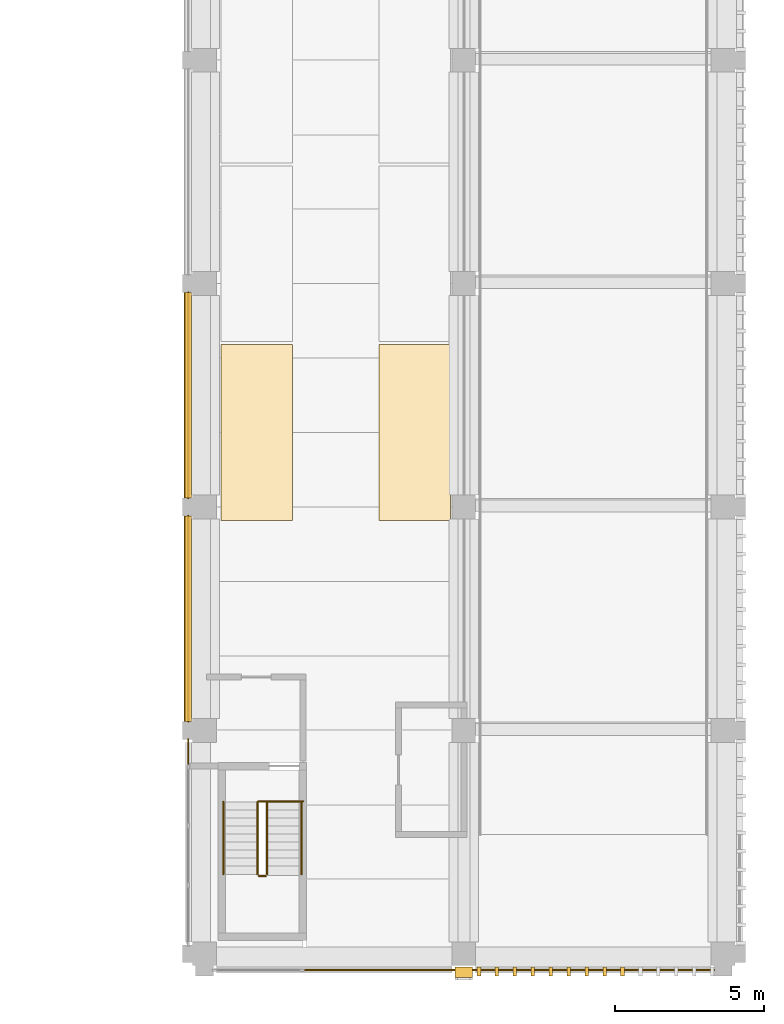
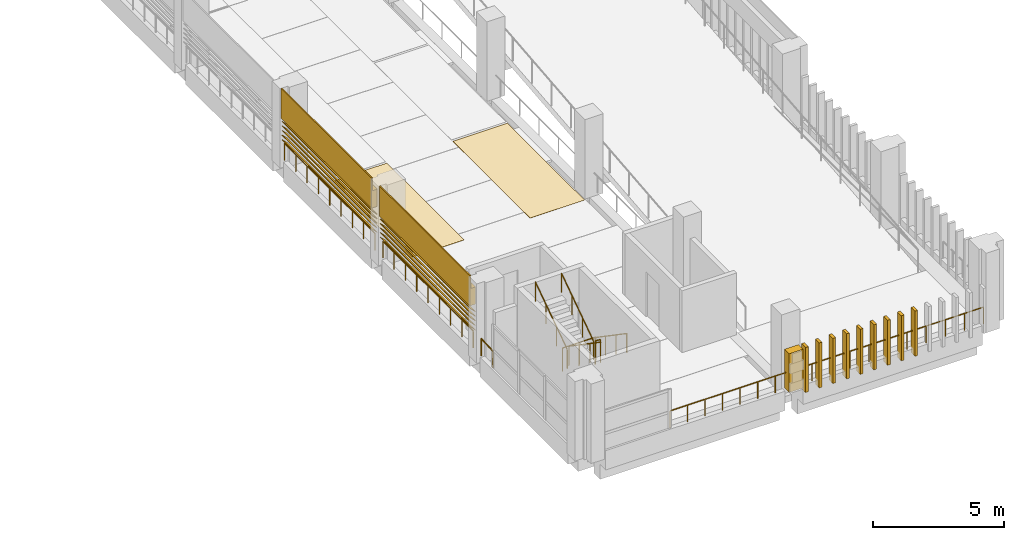
# One storey, part 54 of 62: 14 coverings, 11 railings, 10 shading devices.
"""IFC4 building model written with IfcOpenShell, lengths in metres."""

import ifcopenshell
import ifcopenshell.guid

model = None  # the IFC model being written
_history = None  # IfcOwnerHistory: only IFC2X3 demands one
_inside = {}  # id of a spatial element -> (the spatial element, [elements in it])
_under = {}  # id of a project, library or spatial element -> (it, [spatial elements below it])
_declared = {}  # id of a project -> (the project, [libraries it declares])
_typed = {}  # id of a type object -> (the type object, [elements of that type])
_made_of = {}  # id of a material, layer set ... -> (it, [elements and type objects made of it])


def new_model(schema):
    """Start an empty IFC model of exactly this schema.

    Asked for "IFC4X3", IfcOpenShell would pick the latest addendum, in which some entities
    have other attributes; the version numbers below select the first issue.
    IFC2X3 requires an IfcOwnerHistory on every rooted entity: one is made here for all.
    """
    global model, _history
    if schema == "IFC4X3":
        model = ifcopenshell.file(schema_version=(4, 3, 0, 0))
    else:
        model = ifcopenshell.file(schema=schema)
    _inside.clear()
    _under.clear()
    _declared.clear()
    _typed.clear()
    _made_of.clear()
    _history = None
    if model.schema == "IFC2X3":
        org = make("IfcOrganization", Name="unknown")
        user = make(
            "IfcPersonAndOrganization",
            ThePerson=make("IfcPerson", FamilyName="unknown"),
            TheOrganization=org,
        )
        app = make(
            "IfcApplication",
            ApplicationDeveloper=org,
            Version="unknown",
            ApplicationFullName="unknown",
            ApplicationIdentifier="unknown",
        )
        _history = make(
            "IfcOwnerHistory",
            OwningUser=user,
            OwningApplication=app,
            ChangeAction="ADDED",
            CreationDate=0,
        )
    return model


def make(cls, **values):
    """One entity of the class cls with the attributes given. An attribute that is None is left unset."""
    return model.create_entity(
        cls, **{name: value for name, value in values.items() if value is not None}
    )


def rooted(cls, **values):
    """An entity with a GlobalId (a new one), such as an element, a storey or a relation."""
    return make(cls, GlobalId=ifcopenshell.guid.new(), OwnerHistory=_history, **values)


def si_unit(unit_type, name, prefix=None):
    """IfcSIUnit, for example si_unit("LENGTHUNIT", "METRE", prefix="MILLI")."""
    return make("IfcSIUnit", UnitType=unit_type, Prefix=prefix, Name=name)


def assignment(units):
    """IfcUnitAssignment: the units of a project."""
    return None if units is None else make("IfcUnitAssignment", Units=units)


def point(xyz):
    """IfcCartesianPoint."""
    return None if xyz is None else make("IfcCartesianPoint", Coordinates=xyz)


def direction(xyz):
    """IfcDirection."""
    return None if xyz is None else make("IfcDirection", DirectionRatios=xyz)


def frame(location, z_axis=None, x_axis=None):
    """IfcAxis2Placement3D, a coordinate frame: its origin and axes. An axis left out is left unset."""
    return make(
        "IfcAxis2Placement3D",
        Location=point(location),
        Axis=direction(z_axis),
        RefDirection=direction(x_axis),
    )


def frame_2d(location, x_axis=None):
    """IfcAxis2Placement2D, a coordinate frame in the plane: its origin and x axis."""
    return make(
        "IfcAxis2Placement2D", Location=point(location), RefDirection=direction(x_axis)
    )


def origin():
    """The frame at (0, 0, 0) with its axes left unset."""
    return frame((0.0, 0.0, 0.0))


def origin_2d():
    """The frame at (0, 0) in the plane with its x axis left unset."""
    return frame_2d((0.0, 0.0))


def place(relative_to, where):
    """IfcLocalPlacement: puts the frame where relative to a parent placement (None: the world)."""
    return make(
        "IfcLocalPlacement", PlacementRelTo=relative_to, RelativePlacement=where
    )


def context(
    kind, dimensions, precision=None, world=None, true_north=None, identifier=None
):
    """IfcGeometricRepresentationContext, for example the 3D "Model" context."""
    return make(
        "IfcGeometricRepresentationContext",
        ContextIdentifier=identifier,
        ContextType=kind,
        CoordinateSpaceDimension=dimensions,
        Precision=precision,
        WorldCoordinateSystem=world,
        TrueNorth=true_north,
    )


def subcontext(parent, identifier, kind, view, scale=None):
    """IfcGeometricRepresentationSubContext, for example "Body" below "Model"."""
    return make(
        "IfcGeometricRepresentationSubContext",
        ContextIdentifier=identifier,
        ContextType=kind,
        ParentContext=parent,
        TargetScale=scale,
        TargetView=view,
    )


def project(units=None, contexts=None):
    """IfcProject with its units and contexts."""
    return rooted(
        "IfcProject",
        Name="project",
        RepresentationContexts=contexts,
        UnitsInContext=assignment(units),
    )


def spatial(cls, under=None, at=None, **own):
    """A site, building, storey or space (cls), placed at a placement, below another one or the project."""
    s = rooted(cls, ObjectPlacement=at, **own)
    if under is not None:
        _under.setdefault(under.id(), (under, []))[1].append(s)
    return s


def polyline(points):
    """IfcPolyline through the points."""
    return make("IfcPolyline", Points=[point(p) for p in points])


def profile(cls, at=None, kind="AREA", **sizes):
    """A parametric profile (cls). Its sizes go by their IFC names, for example OverallWidth=200.0."""
    return make(cls, ProfileType=kind, Position=at, **sizes)


def circle(**sizes):
    """IfcCircleProfileDef."""
    return profile("IfcCircleProfileDef", **sizes)


def outline(outer, holes=None, kind="AREA"):
    """IfcArbitraryClosedProfileDef: a profile drawn as a closed curve; with holes, ...WithVoids."""
    if holes is None:
        return make("IfcArbitraryClosedProfileDef", ProfileType=kind, OuterCurve=outer)
    return make(
        "IfcArbitraryProfileDefWithVoids",
        ProfileType=kind,
        OuterCurve=outer,
        InnerCurves=holes,
    )


def extrude(swept, where, along, depth):
    """IfcExtrudedAreaSolid: the profile swept, set in the frame where, extruded along a direction by depth."""
    return make(
        "IfcExtrudedAreaSolid",
        SweptArea=swept,
        Position=where,
        ExtrudedDirection=direction(along),
        Depth=depth,
    )


def shape(context_of_items, identifier, shape_type, items):
    """IfcShapeRepresentation: the items that make up one representation, for example the "Body"."""
    return make(
        "IfcShapeRepresentation",
        ContextOfItems=context_of_items,
        RepresentationIdentifier=identifier,
        RepresentationType=shape_type,
        Items=items,
    )


def material(Name=None, Category=None):
    """IfcMaterial."""
    return make("IfcMaterial", Name=Name, Category=Category)


def layer(
    of_material, thickness, ventilated=None, Name=None, Category=None, Priority=None
):
    """IfcMaterialLayer: one layer of a wall or slab, of a material (None: an air gap)."""
    return make(
        "IfcMaterialLayer",
        Material=of_material,
        LayerThickness=thickness,
        IsVentilated=ventilated,
        Name=Name,
        Category=Category,
        Priority=Priority,
    )


def layer_set(layers, Name=None):
    """IfcMaterialLayerSet."""
    return make("IfcMaterialLayerSet", MaterialLayers=layers, LayerSetName=Name)


def made_of(thing, what):
    """Note that an element or type object is made of a material, layer set ...; save() writes the relation."""
    if what is not None:
        _made_of.setdefault(what.id(), (what, []))[1].append(thing)
    return thing


def type_object(cls, material=None, **own):
    """A type object (cls), such as IfcWallType, which elements share."""
    return made_of(rooted(cls, **own), material)


def element(
    cls,
    number,
    at=None,
    inside=None,
    cuts=None,
    type_object=None,
    material=None,
    context=None,
    identifier="Body",
    shape_type=None,
    held_by="IfcProductDefinitionShape",
    body=None,
    shapes=None,
    **own,
):
    """One element of the class cls, such as IfcWall. Its Tag is "e" and its number.

    at: its placement. inside: the storey or other place that contains it. cuts: it is an
    opening in that element (IfcRelVoidsElement). A single representation is given by context,
    identifier, shape_type and body (its items); several are given by shapes. held_by: the class
    of the entity that holds the representations. save() writes the other relations.
    """
    e = rooted(cls, Tag="e%d" % number, ObjectPlacement=at, **own)
    if body is not None:
        shapes = [shape(context, identifier, shape_type, body)]
    if shapes is not None:
        e.Representation = make(held_by, Representations=shapes)
    if inside is not None:
        _inside.setdefault(inside.id(), (inside, []))[1].append(e)
    if cuts is not None:
        rooted(
            "IfcRelVoidsElement", RelatingBuildingElement=cuts, RelatedOpeningElement=e
        )
    if type_object is not None:
        _typed.setdefault(type_object.id(), (type_object, []))[1].append(e)
    return made_of(e, material)


def aggregate(whole, parts):
    """IfcRelAggregates: a whole, such as a stair, and the parts it consists of."""
    return rooted("IfcRelAggregates", RelatingObject=whole, RelatedObjects=parts)


def save(model, path):
    """Write the relations noted so far, then the file.

    IfcRelAggregates (storeys below a building ...), IfcRelContainedInSpatialStructure (elements
    in a storey), IfcRelDefinesByType, IfcRelAssociatesMaterial and IfcRelDeclares: one each for
    every whole, place, type object, material and project.
    """
    for whole, parts in _under.values():
        aggregate(whole, parts)
    for where, things in _inside.values():
        rooted(
            "IfcRelContainedInSpatialStructure",
            RelatedElements=things,
            RelatingStructure=where,
        )
    for kind, things in _typed.values():
        rooted("IfcRelDefinesByType", RelatedObjects=things, RelatingType=kind)
    for what, things in _made_of.values():
        rooted("IfcRelAssociatesMaterial", RelatedObjects=things, RelatingMaterial=what)
    for by, libraries in _declared.values():
        rooted("IfcRelDeclares", RelatingContext=by, RelatedDefinitions=libraries)
    model.write(path)


model = new_model("IFC4")

# Units and contexts
model_context = context("Model", 3, precision=1e-05, world=origin(), true_north=direction((0.0, 1.0)))
body_context = subcontext(model_context, "Body", "Model", "MODEL_VIEW")
ifc_project = project(units=[si_unit("LENGTHUNIT", "METRE"), si_unit("AREAUNIT", "SQUARE_METRE"), si_unit("VOLUMEUNIT", "CUBIC_METRE"), si_unit("PLANEANGLEUNIT", "RADIAN"), si_unit("MASSUNIT", "GRAM", prefix="KILO")], contexts=[model_context])

# Site, building, storey
site_placement = place(None, origin())
site = spatial("IfcSite", under=ifc_project, at=site_placement, CompositionType="ELEMENT")
building_placement = place(site_placement, origin())
building = spatial("IfcBuilding", under=site, at=building_placement, Name="Cour d'Honneur Mobility Palace", CompositionType="ELEMENT")
storey_placement = place(building_placement, frame((0.0, 0.0, 19.300048828125)))
storey = spatial("IfcBuildingStorey", under=building, at=storey_placement, Name="L05", CompositionType="ELEMENT", Elevation=19.300048828125)

# Railings
ifc_material_1 = material(Name="Painted steel", Category="steel")
railing_type_1 = type_object("IfcRailingType", Name="Balustrade", PredefinedType="BALUSTRADE", material=ifc_material_1)
for number, where, name in (
    (1, (144.35009765625, 22.199951171875, 0.300048828125), "Balustrade BAL-286"),
    (2, (144.35009765625, 14.699951171875, 0.300048828125), "Balustrade BAL-287"),
):
    element("IfcRailing", number, at=place(storey_placement, frame(where)), inside=storey, type_object=railing_type_1, Name=name, PredefinedType="BALUSTRADE", context=body_context, shape_type="SweptSolid", body=[
        extrude(circle(Radius=0.02392578125, at=origin_2d()), frame((0.0, 0.0, 0.77587890625), z_axis=(0.0, -1.0, 0.0), x_axis=(1.0, 0.0, 0.0)), (0.0, 0.0, 1.0), 6.89990234375),
        extrude(circle(Radius=0.02099609375, at=origin_2d()), origin(), (0.0, 0.0, 1.0), 0.751953125),
        extrude(circle(Radius=0.02099609375, at=origin_2d()), frame((0.0, -0.862548828125, 0.0)), (0.0, 0.0, 1.0), 0.751953125),
        extrude(circle(Radius=0.02099609375, at=origin_2d()), frame((0.0, -1.72509765625, 0.0)), (0.0, 0.0, 1.0), 0.751953125),
        extrude(circle(Radius=0.02099609375, at=origin_2d()), frame((0.0, -2.58740234375, 0.0)), (0.0, 0.0, 1.0), 0.751953125),
        extrude(circle(Radius=0.02099609375, at=origin_2d()), frame((0.0, -3.449951171875, 0.0)), (0.0, 0.0, 1.0), 0.751953125),
        extrude(circle(Radius=0.02099609375, at=origin_2d()), frame((0.0, -4.3125, 0.0)), (0.0, 0.0, 1.0), 0.751953125),
        extrude(circle(Radius=0.02099609375, at=origin_2d()), frame((0.0, -5.1748046875, 0.0)), (0.0, 0.0, 1.0), 0.751953125),
        extrude(circle(Radius=0.02099609375, at=origin_2d()), frame((0.0, -6.037353515625, 0.0)), (0.0, 0.0, 1.0), 0.751953125),
        extrude(circle(Radius=0.02099609375, at=origin_2d()), frame((0.0, -6.89990234375, 0.0)), (0.0, 0.0, 1.0), 0.751953125),
    ])
railing_1_placement = place(storey_placement, frame((144.35009765625, 7.199951171875, 0.300048828125)))
element("IfcRailing", 3, at=railing_1_placement, inside=storey, type_object=railing_type_1, Name="Balustrade BAL-288", PredefinedType="BALUSTRADE", context=body_context, shape_type="SweptSolid", body=[
    extrude(circle(Radius=0.02392578125, at=origin_2d()), frame((0.0, 0.0, 0.77587890625), z_axis=(0.0, -1.0, 0.0), x_axis=(1.0, 0.0, 0.0)), (0.0, 0.0, 1.0), 0.89990234375),
    extrude(circle(Radius=0.02099609375, at=origin_2d()), origin(), (0.0, 0.0, 1.0), 0.751953125),
    extrude(circle(Radius=0.02099609375, at=origin_2d()), frame((0.0, -0.89990234375, 0.0)), (0.0, 0.0, 1.0), 0.751953125),
])
railing_2_placement = place(storey_placement, frame((148.199951171875, -0.550048828125, 0.300048828125)))
element("IfcRailing", 4, at=railing_2_placement, inside=storey, type_object=railing_type_1, Name="Balustrade BAL-289", PredefinedType="BALUSTRADE", context=body_context, shape_type="SweptSolid", body=[
    extrude(circle(Radius=0.02392578125, at=origin_2d()), frame((0.0, 0.0, 0.77587890625), z_axis=(1.0, 0.0, 0.0), x_axis=(0.0, 1.0, 0.0)), (0.0, 0.0, 1.0), 5.400146484375),
    extrude(circle(Radius=0.02099609375, at=origin_2d()), origin(), (0.0, 0.0, 1.0), 0.751953125),
    extrude(circle(Radius=0.02099609375, at=origin_2d()), frame((0.771484375, 0.0, 0.0)), (0.0, 0.0, 1.0), 0.751953125),
    extrude(circle(Radius=0.02099609375, at=origin_2d()), frame((1.54296875, 0.0, 0.0)), (0.0, 0.0, 1.0), 0.751953125),
    extrude(circle(Radius=0.02099609375, at=origin_2d()), frame((2.314453125, 0.0, 0.0)), (0.0, 0.0, 1.0), 0.751953125),
    extrude(circle(Radius=0.02099609375, at=origin_2d()), frame((3.085693359375, 0.0, 0.0)), (0.0, 0.0, 1.0), 0.751953125),
    extrude(circle(Radius=0.02099609375, at=origin_2d()), frame((3.857177734375, 0.0, 0.0)), (0.0, 0.0, 1.0), 0.751953125),
    extrude(circle(Radius=0.02099609375, at=origin_2d()), frame((4.628662109375, 0.0, 0.0)), (0.0, 0.0, 1.0), 0.751953125),
    extrude(circle(Radius=0.02099609375, at=origin_2d()), frame((5.400146484375, 0.0, 0.0)), (0.0, 0.0, 1.0), 0.751953125),
])
railing_3_placement = place(storey_placement, frame((153.60009765625, -0.550048828125, 0.300048828125)))
element("IfcRailing", 5, at=railing_3_placement, inside=storey, type_object=railing_type_1, Name="Balustrade BAL-290", PredefinedType="BALUSTRADE", context=body_context, shape_type="SweptSolid", body=[
    extrude(circle(Radius=0.02392578125, at=origin_2d()), frame((0.0, 0.0, 0.77587890625), z_axis=(1.0, 0.0, 0.0), x_axis=(0.0, 1.0, 0.0)), (0.0, 0.0, 1.0), 8.39990234375),
    extrude(circle(Radius=0.02099609375, at=origin_2d()), origin(), (0.0, 0.0, 1.0), 0.751953125),
    extrude(circle(Radius=0.02099609375, at=origin_2d()), frame((0.840087890625, 0.0, 0.0)), (0.0, 0.0, 1.0), 0.751953125),
    extrude(circle(Radius=0.02099609375, at=origin_2d()), frame((1.679931640625, 0.0, 0.0)), (0.0, 0.0, 1.0), 0.751953125),
    extrude(circle(Radius=0.02099609375, at=origin_2d()), frame((2.52001953125, 0.0, 0.0)), (0.0, 0.0, 1.0), 0.751953125),
    extrude(circle(Radius=0.02099609375, at=origin_2d()), frame((3.35986328125, 0.0, 0.0)), (0.0, 0.0, 1.0), 0.751953125),
    extrude(circle(Radius=0.02099609375, at=origin_2d()), frame((4.199951171875, 0.0, 0.0)), (0.0, 0.0, 1.0), 0.751953125),
    extrude(circle(Radius=0.02099609375, at=origin_2d()), frame((5.0400390625, 0.0, 0.0)), (0.0, 0.0, 1.0), 0.751953125),
    extrude(circle(Radius=0.02099609375, at=origin_2d()), frame((5.8798828125, 0.0, 0.0)), (0.0, 0.0, 1.0), 0.751953125),
    extrude(circle(Radius=0.02099609375, at=origin_2d()), frame((6.719970703125, 0.0, 0.0)), (0.0, 0.0, 1.0), 0.751953125),
    extrude(circle(Radius=0.02099609375, at=origin_2d()), frame((7.559814453125, 0.0, 0.0)), (0.0, 0.0, 1.0), 0.751953125),
    extrude(circle(Radius=0.02099609375, at=origin_2d()), frame((8.39990234375, 0.0, 0.0)), (0.0, 0.0, 1.0), 0.751953125),
])
ifc_material_2 = material(Name="Painted steel", Category="steel")
railing_type_2 = type_object("IfcRailingType", Name="Guardrail 1100", PredefinedType="GUARDRAIL", material=ifc_material_2)
railing_4_placement = place(storey_placement, frame((146.72509765625, 5.1201171875, 0.0)))
element("IfcRailing", 6, at=railing_4_placement, inside=storey, type_object=railing_type_2, Name="Guard ST-RE1", PredefinedType="GUARDRAIL", context=body_context, shape_type="SweptSolid", body=[
    extrude(circle(Radius=0.02490234375, at=origin_2d()), frame((0.0, 0.0, 1.0751953125), z_axis=(1.0, 0.0, 0.0), x_axis=(0.0, 1.0, 0.0)), (0.0, 0.0, 1.0), 1.474853515625),
    extrude(circle(Radius=0.02099609375, at=origin_2d()), origin(), (0.0, 0.0, 1.0), 1.050048828125),
    extrude(circle(Radius=0.02099609375, at=origin_2d()), frame((0.7373046875, 0.0, 0.0)), (0.0, 0.0, 1.0), 1.050048828125),
    extrude(circle(Radius=0.02099609375, at=origin_2d()), frame((1.474853515625, 0.0, 0.0)), (0.0, 0.0, 1.0), 1.050048828125),
])
railing_5_placement = place(storey_placement, frame((146.72509765625, 2.610107421875, 1.849853515625)))
element("IfcRailing", 7, at=railing_5_placement, inside=storey, type_object=railing_type_2, Name="Landing guard ST-RE1", PredefinedType="GUARDRAIL", context=body_context, shape_type="SweptSolid", body=[
    extrude(circle(Radius=0.02490234375, at=origin_2d()), frame((0.0, 0.0, 1.0751953125), z_axis=(1.0, 0.0, 0.0), x_axis=(0.0, 1.0, 0.0)), (0.0, 0.0, 1.0), 0.224853515625),
    extrude(circle(Radius=0.02099609375, at=origin_2d()), origin(), (0.0, 0.0, 1.0), 1.050048828125),
    extrude(circle(Radius=0.02099609375, at=origin_2d()), frame((0.224853515625, 0.0, 0.0)), (0.0, 0.0, 1.0), 1.050048828125),
])
ifc_material_3 = material(Name="Stainless steel", Category="steel")
railing_type_3 = type_object("IfcRailingType", Name="Handrail round 50", PredefinedType="HANDRAIL", material=ifc_material_3)
for number, where, name in (
    (8, (148.14990234375, 5.10009765625, 0.18505859375), "Handrail ST-RE1"),
    (9, (147.0, 5.10009765625, 0.18505859375), "Handrail ST-RE1"),
):
    element("IfcRailing", number, at=place(storey_placement, frame(where)), inside=storey, type_object=railing_type_3, Name=name, PredefinedType="HANDRAIL", context=body_context, shape_type="SweptSolid", body=[
        extrude(circle(Radius=0.02490234375, at=origin_2d()), frame((0.0, 0.0, 0.89501953125), z_axis=(0.0, -0.824983895463, 0.565156237006), x_axis=(1.0, 0.0, 0.0)), (0.0, 0.0, 1.0), 2.94580078125),
        extrude(circle(Radius=0.02099609375, at=origin_2d()), origin(), (0.0, 0.0, 1.0), 0.869873046875),
        extrude(circle(Radius=0.02099609375, at=origin_2d()), frame((0.0, -0.81005859375, 0.554931640625)), (0.0, 0.0, 1.0), 0.869873046875),
        extrude(circle(Radius=0.02099609375, at=origin_2d()), frame((0.0, -1.6201171875, 1.10986328125)), (0.0, 0.0, 1.0), 0.869873046875),
        extrude(circle(Radius=0.02099609375, at=origin_2d()), frame((0.0, -2.43017578125, 1.664794921875)), (0.0, 0.0, 1.0), 0.869873046875),
    ])
for number, where, name in (
    (10, (146.675048828125, 2.669921875, 2.034912109375), "Handrail ST-RE1"),
    (11, (145.52490234375, 2.669921875, 2.034912109375), "Handrail ST-RE1"),
):
    element("IfcRailing", number, at=place(storey_placement, frame(where)), inside=storey, type_object=railing_type_3, Name=name, PredefinedType="HANDRAIL", context=body_context, shape_type="SweptSolid", body=[
        extrude(circle(Radius=0.02490234375, at=origin_2d()), frame((0.0, 0.0, 0.89501953125), z_axis=(0.0, 0.824945253146, 0.565212640793), x_axis=(-1.0, 0.0, 0.0)), (0.0, 0.0, 1.0), 2.94580078125),
        extrude(circle(Radius=0.02099609375, at=origin_2d()), origin(), (0.0, 0.0, 1.0), 0.869873046875),
        extrude(circle(Radius=0.02099609375, at=origin_2d()), frame((0.0, 0.81005859375, 0.554931640625)), (0.0, 0.0, 1.0), 0.869873046875),
        extrude(circle(Radius=0.02099609375, at=origin_2d()), frame((0.0, 1.6201171875, 1.110107421875)), (0.0, 0.0, 1.0), 0.869873046875),
        extrude(circle(Radius=0.02099609375, at=origin_2d()), frame((0.0, 2.43017578125, 1.6650390625)), (0.0, 0.0, 1.0), 0.869873046875),
    ])

# Coverings
ifc_material_4 = material(Name="Parking marking paint")
ifc_layer_1 = layer(ifc_material_4, 0.0048828125)
ifc_layer_set_1 = layer_set([ifc_layer_1], Name="Parking marking paint")
covering_type_1 = type_object("IfcCoveringType", Name="Parking bay marking", PredefinedType="FLOORING", material=ifc_layer_set_1)
covering_1_placement = place(storey_placement, origin())
element("IfcCovering", 12, at=covering_1_placement, inside=storey, type_object=covering_type_1, Name="Parking bay marking L05 1", PredefinedType="FLOORING", context=body_context, shape_type="SweptSolid", body=[
    extrude(outline(polyline([(153.14990234375, 14.550048828125), (150.75, 14.550048828125), (150.75, 20.449951171875), (153.14990234375, 20.449951171875), (153.14990234375, 14.550048828125)])), origin(), (0.0, 0.0, 1.0), 0.0048828125),
])
covering_2_placement = place(storey_placement, origin())
element("IfcCovering", 13, at=covering_2_placement, inside=storey, type_object=covering_type_1, Name="Parking bay marking L05 5", PredefinedType="FLOORING", context=body_context, shape_type="SweptSolid", body=[
    extrude(outline(polyline([(147.85009765625, 14.550048828125), (145.449951171875, 14.550048828125), (145.449951171875, 20.449951171875), (147.85009765625, 20.449951171875), (147.85009765625, 14.550048828125)])), origin(), (0.0, 0.0, 1.0), 0.0048828125),
])
ifc_material_5 = material(Name="Cast limestone", Category="masonry")
ifc_layer_2 = layer(ifc_material_5, 0.35009765625)
ifc_layer_set_2 = layer_set([ifc_layer_2], Name="Cast limestone")
covering_type_2 = type_object("IfcCoveringType", Name="Pier pilaster", PredefinedType="CLADDING", material=ifc_layer_set_2)
covering_3_placement = place(storey_placement, frame((0.0, 0.0, 0.300048828125)))
element("IfcCovering", 14, at=covering_3_placement, inside=storey, type_object=covering_type_2, Name="Pier pilaster PN-10", PredefinedType="CLADDING", context=body_context, shape_type="SweptSolid", body=[
    extrude(outline(polyline([(153.300048828125, -0.449951171875), (153.89990234375, -0.449951171875), (153.89990234375, -0.800048828125), (153.300048828125, -0.800048828125), (153.300048828125, -0.449951171875)])), origin(), (0.0, 0.0, 1.0), 1.7998046875),
])
ifc_material_6 = material(Name="Cast limestone", Category="masonry")
ifc_layer_3 = layer(ifc_material_6, 0.1201171875)
ifc_layer_set_3 = layer_set([ifc_layer_3], Name="Cast limestone")
covering_type_3 = type_object("IfcCoveringType", Name="Ramp screen fin", PredefinedType="CLADDING", material=ifc_layer_set_3)
covering_4_placement = place(storey_placement, origin())
element("IfcCovering", 15, at=covering_4_placement, inside=storey, type_object=covering_type_3, Name="Ramp screen fin S7.1 L05 1", PredefinedType="CLADDING", context=body_context, shape_type="SweptSolid", body=[
    extrude(outline(polyline([(154.050048828125, -0.449951171875), (154.169921875, -0.449951171875), (154.169921875, -0.75), (154.050048828125, -0.75), (154.050048828125, -0.449951171875)])), origin(), (0.0, 0.0, 1.0), 2.099853515625),
])
covering_5_placement = place(storey_placement, origin())
element("IfcCovering", 16, at=covering_5_placement, inside=storey, type_object=covering_type_3, Name="Ramp screen fin S7.1 L05 2", PredefinedType="CLADDING", context=body_context, shape_type="SweptSolid", body=[
    extrude(outline(polyline([(154.65234375, -0.449951171875), (154.772216796875, -0.449951171875), (154.772216796875, -0.75), (154.65234375, -0.75), (154.65234375, -0.449951171875)])), origin(), (0.0, 0.0, 1.0), 2.099853515625),
])
covering_6_placement = place(storey_placement, origin())
element("IfcCovering", 17, at=covering_6_placement, inside=storey, type_object=covering_type_3, Name="Ramp screen fin S7.1 L05 3", PredefinedType="CLADDING", context=body_context, shape_type="SweptSolid", body=[
    extrude(outline(polyline([(155.254638671875, -0.449951171875), (155.37451171875, -0.449951171875), (155.37451171875, -0.75), (155.254638671875, -0.75), (155.254638671875, -0.449951171875)])), origin(), (0.0, 0.0, 1.0), 2.099853515625),
])
covering_7_placement = place(storey_placement, origin())
element("IfcCovering", 18, at=covering_7_placement, inside=storey, type_object=covering_type_3, Name="Ramp screen fin S7.1 L05 4", PredefinedType="CLADDING", context=body_context, shape_type="SweptSolid", body=[
    extrude(outline(polyline([(155.85693359375, -0.449951171875), (155.976806640625, -0.449951171875), (155.976806640625, -0.75), (155.85693359375, -0.75), (155.85693359375, -0.449951171875)])), origin(), (0.0, 0.0, 1.0), 2.099853515625),
])
covering_8_placement = place(storey_placement, origin())
element("IfcCovering", 19, at=covering_8_placement, inside=storey, type_object=covering_type_3, Name="Ramp screen fin S7.1 L05 5", PredefinedType="CLADDING", context=body_context, shape_type="SweptSolid", body=[
    extrude(outline(polyline([(156.459228515625, -0.449951171875), (156.579345703125, -0.449951171875), (156.579345703125, -0.75), (156.459228515625, -0.75), (156.459228515625, -0.449951171875)])), origin(), (0.0, 0.0, 1.0), 2.099853515625),
])
covering_9_placement = place(storey_placement, origin())
element("IfcCovering", 20, at=covering_9_placement, inside=storey, type_object=covering_type_3, Name="Ramp screen fin S7.1 L05 6", PredefinedType="CLADDING", context=body_context, shape_type="SweptSolid", body=[
    extrude(outline(polyline([(157.0615234375, -0.449951171875), (157.181640625, -0.449951171875), (157.181640625, -0.75), (157.0615234375, -0.75), (157.0615234375, -0.449951171875)])), origin(), (0.0, 0.0, 1.0), 2.099853515625),
])
covering_10_placement = place(storey_placement, origin())
element("IfcCovering", 21, at=covering_10_placement, inside=storey, type_object=covering_type_3, Name="Ramp screen fin S7.1 L05 7", PredefinedType="CLADDING", context=body_context, shape_type="SweptSolid", body=[
    extrude(outline(polyline([(157.663818359375, -0.449951171875), (157.783935546875, -0.449951171875), (157.783935546875, -0.75), (157.663818359375, -0.75), (157.663818359375, -0.449951171875)])), origin(), (0.0, 0.0, 1.0), 2.099853515625),
])
covering_11_placement = place(storey_placement, origin())
element("IfcCovering", 22, at=covering_11_placement, inside=storey, type_object=covering_type_3, Name="Ramp screen fin S7.1 L05 8", PredefinedType="CLADDING", context=body_context, shape_type="SweptSolid", body=[
    extrude(outline(polyline([(158.26611328125, -0.449951171875), (158.38623046875, -0.449951171875), (158.38623046875, -0.75), (158.26611328125, -0.75), (158.26611328125, -0.449951171875)])), origin(), (0.0, 0.0, 1.0), 2.099853515625),
])
covering_12_placement = place(storey_placement, origin())
element("IfcCovering", 23, at=covering_12_placement, inside=storey, type_object=covering_type_3, Name="Ramp screen fin S7.1 L05 9", PredefinedType="CLADDING", context=body_context, shape_type="SweptSolid", body=[
    extrude(outline(polyline([(158.868408203125, -0.449951171875), (158.988525390625, -0.449951171875), (158.988525390625, -0.75), (158.868408203125, -0.75), (158.868408203125, -0.449951171875)])), origin(), (0.0, 0.0, 1.0), 2.099853515625),
])
ifc_material_7 = material(Name="Cast limestone", Category="masonry")
ifc_layer_4 = layer(ifc_material_7, 0.25)
ifc_layer_set_4 = layer_set([ifc_layer_4], Name="Cast limestone")
covering_type_4 = type_object("IfcCoveringType", Name="Spandrel cladding", PredefinedType="CLADDING", material=ifc_layer_set_4)
for number, where, z_axis, x_axis, name in (
    (24, (144.449951171875, 22.199951171875, 2.300048828125), (0.0, 1.0, 0.0), (-1.0, 0.0, 0.0), "Spandrel cladding SK-359"),
    (25, (144.449951171875, 14.699951171875, 2.300048828125), (0.0, 1.0, 0.0), (-1.0, 0.0, 0.0), "Spandrel cladding SK-360"),
):
    element("IfcCovering", number, at=place(storey_placement, frame(where, z_axis=z_axis, x_axis=x_axis)), inside=storey, type_object=covering_type_4, Name=name, PredefinedType="CLADDING", context=body_context, shape_type="SweptSolid", body=[
        extrude(outline(polyline([(0.0, 0.0), (0.25, 0.0), (0.25, 1.39990234375), (0.199951171875, 1.39990234375), (0.199951171875, 0.7998046875), (0.0, 0.7998046875), (0.0, 0.0)])), origin(), (0.0, 0.0, -1.0), 6.89990234375),
    ])

# Shading devices
ifc_material_8 = material(Name="Terracotta", Category="masonry")
ifc_layer_5 = layer(ifc_material_8, 0.02490234375)
ifc_layer_set_5 = layer_set([ifc_layer_5], Name="Terracotta")
shading_device_type = type_object("IfcShadingDeviceType", Name="Terracotta louvre blade", PredefinedType="JALOUSIE", material=ifc_layer_set_5)
for number, where, z_axis, x_axis, name in (
    (26, (144.4560546875, 22.199951171875, 1.099853515625), (0.707106781187, 0.0, 0.707106781187), (0.0, -1.0, 0.0), "Louvre blade LV-1 W6.4 L05 1"),
    (27, (144.4560546875, 22.199951171875, 1.31201171875), (0.707106781187, 0.0, 0.707106781187), (0.0, -1.0, 0.0), "Louvre blade LV-1 W6.4 L05 2"),
    (28, (144.4560546875, 22.199951171875, 1.524169921875), (0.707106781187, 0.0, 0.707106781187), (0.0, -1.0, 0.0), "Louvre blade LV-1 W6.4 L05 3"),
    (29, (144.4560546875, 22.199951171875, 1.736328125), (0.707106781187, 0.0, 0.707106781187), (0.0, -1.0, 0.0), "Louvre blade LV-1 W6.4 L05 4"),
    (30, (144.4560546875, 22.199951171875, 1.948486328125), (0.707106781187, 0.0, 0.707106781187), (0.0, -1.0, 0.0), "Louvre blade LV-1 W6.4 L05 5"),
    (31, (144.4560546875, 14.699951171875, 1.099853515625), (0.707106781187, 0.0, 0.707106781187), (0.0, -1.0, 0.0), "Louvre blade LV-1 W6.5 L05 1"),
    (32, (144.4560546875, 14.699951171875, 1.31201171875), (0.707106781187, 0.0, 0.707106781187), (0.0, -1.0, 0.0), "Louvre blade LV-1 W6.5 L05 2"),
    (33, (144.4560546875, 14.699951171875, 1.524169921875), (0.707106781187, 0.0, 0.707106781187), (0.0, -1.0, 0.0), "Louvre blade LV-1 W6.5 L05 3"),
    (34, (144.4560546875, 14.699951171875, 1.736328125), (0.707106781187, 0.0, 0.707106781187), (0.0, -1.0, 0.0), "Louvre blade LV-1 W6.5 L05 4"),
    (35, (144.4560546875, 14.699951171875, 1.948486328125), (0.707106781187, 0.0, 0.707106781187), (0.0, -1.0, 0.0), "Louvre blade LV-1 W6.5 L05 5"),
):
    element("IfcShadingDevice", number, at=place(storey_placement, frame(where, z_axis=z_axis, x_axis=x_axis)), inside=storey, type_object=shading_device_type, Name=name, PredefinedType="JALOUSIE", context=body_context, shape_type="SweptSolid", body=[
        extrude(outline(polyline([(0.0, 0.0), (6.89990234375, 0.0), (6.89990234375, -0.300037008228081), (0.0, -0.300037008228081), (0.0, 0.0)])), origin(), (0.0, 0.0, -1.0), 0.02490234375),
    ])

save(model, "model.ifc")
